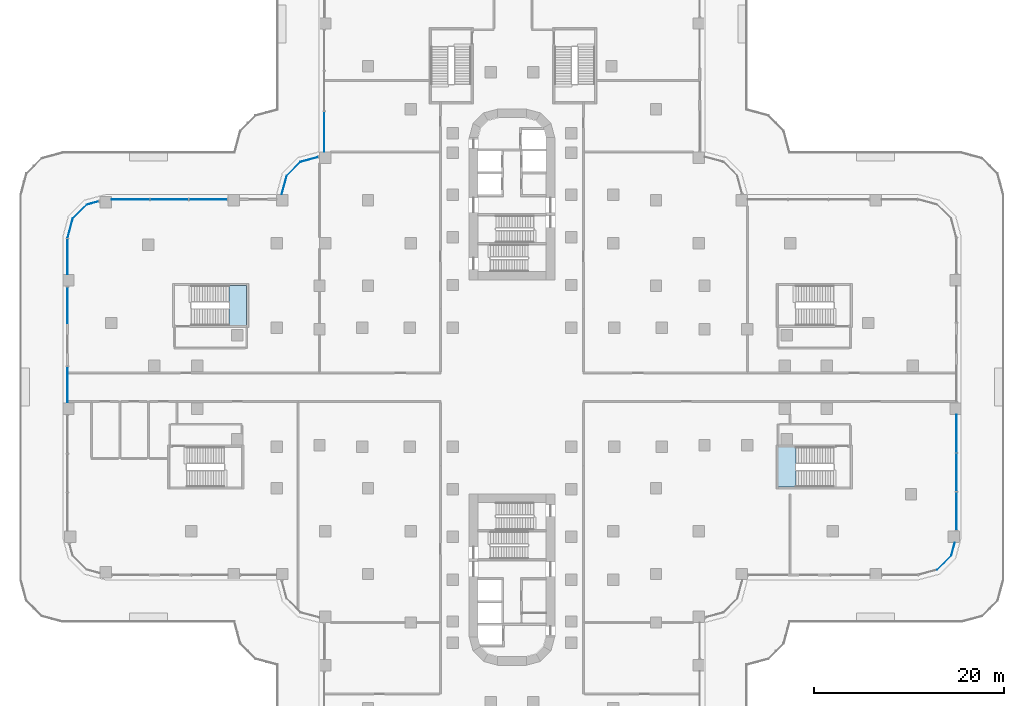
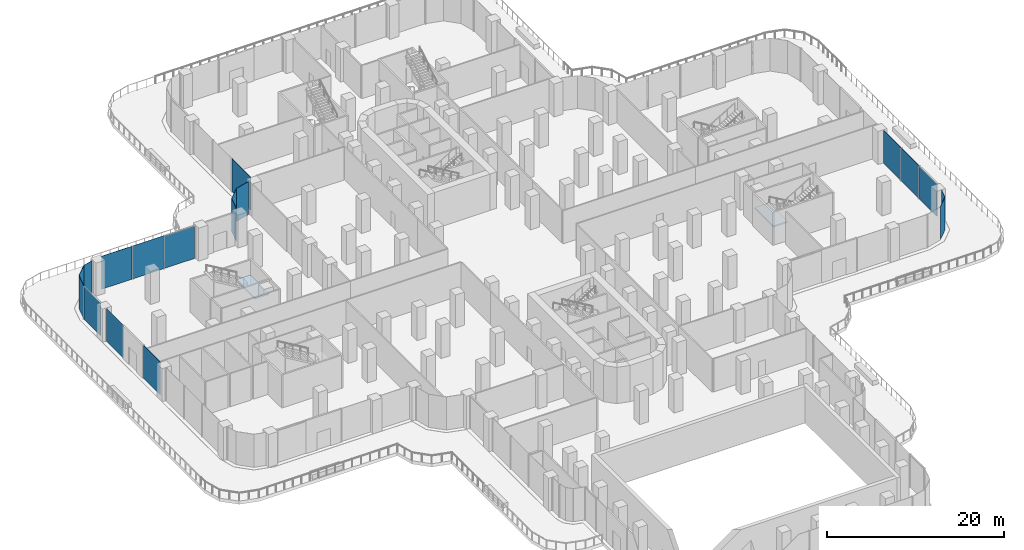
# One storey, part 14 of 29: 18 plates, 2 slabs, 14 elements without a shape of their own.
"""IFC4 building model written with IfcOpenShell, lengths in metres."""

from ifc_helpers import new_model, si_unit, direction, frame, origin, place, context, subcontext, project, spatial, polyline, outline, extrude, source, transform, mapped, material, layer, layer_set, type_object, element, aggregate, save


model = new_model("IFC4")

# Units and contexts
model_context = context("Model", 3, precision=1e-05, world=origin(), true_north=direction((0.0, 1.0)))
body_context = subcontext(model_context, "Body", "Model", "MODEL_VIEW")
ifc_project = project(units=[si_unit("LENGTHUNIT", "METRE"), si_unit("AREAUNIT", "SQUARE_METRE"), si_unit("VOLUMEUNIT", "CUBIC_METRE"), si_unit("PLANEANGLEUNIT", "RADIAN"), si_unit("MASSUNIT", "GRAM", prefix="KILO")], contexts=[model_context])

# Site, building, storey
site_placement = place(None, origin())
site = spatial("IfcSite", under=ifc_project, at=site_placement, CompositionType="ELEMENT")
building_placement = place(site_placement, origin())
building = spatial("IfcBuilding", under=site, at=building_placement, Name="Zarbagh Exchange Tower", CompositionType="ELEMENT")
storey_placement = place(building_placement, frame((0.0, 0.0, 12.0)))
storey = spatial("IfcBuildingStorey", under=building, at=storey_placement, Name="L02", CompositionType="ELEMENT", Elevation=12.0)

# Stair, slab
ifc_material_1 = material(Name="Concrete C40/50", Category="concrete")
stair_type = type_object("IfcStairType", Name="Exit stair two-flight half-turn", PredefinedType="HALF_TURN_STAIR", material=ifc_material_1)
stair_1_placement = place(storey_placement, origin())
stair_1 = element("IfcStair", 1, at=stair_1_placement, inside=storey, type_object=stair_type, Name="exit stair PS5", PredefinedType="HALF_TURN_STAIR")
ifc_layer_1 = layer(ifc_material_1, 0.199951171875)
ifc_layer_set_1 = layer_set([ifc_layer_1], Name="Stair landing 200 mm")
slab_type = type_object("IfcSlabType", Name="Stair landing 200 mm", PredefinedType="LANDING", material=ifc_layer_set_1)
slab_1_placement = place(storey_placement, frame((0.0, 0.0, 2.300048828125)))
slab_1 = element("IfcSlab", 2, at=slab_1_placement, type_object=slab_type, Name="PS5 landing 1", PredefinedType="LANDING", context=body_context, shape_type="SweptSolid", body=[
    extrude(outline(polyline([(-29.780029296875, 6.5), (-27.89990234375, 6.5), (-27.89990234375, 10.699951171875), (-29.780029296875, 10.699951171875), (-29.780029296875, 6.5)])), origin(), (0.0, 0.0, 1.0), 0.199951171875),
])
aggregate(stair_1, [slab_1])

stair_2_placement = place(storey_placement, origin())
stair_2 = element("IfcStair", 3, at=stair_2_placement, inside=storey, type_object=stair_type, Name="exit stair PS6", PredefinedType="HALF_TURN_STAIR")
slab_2_placement = place(storey_placement, frame((0.0, 0.0, 2.300048828125)))
slab_2 = element("IfcSlab", 4, at=slab_2_placement, type_object=slab_type, Name="PS6 landing 1", PredefinedType="LANDING", context=body_context, shape_type="SweptSolid", body=[
    extrude(outline(polyline([(29.8798828125, -6.300048828125), (28.0, -6.300048828125), (28.0, -10.5), (29.8798828125, -10.5), (29.8798828125, -6.300048828125)])), origin(), (0.0, 0.0, 1.0), 0.199951171875),
])
aggregate(stair_2, [slab_2])

# Curtain wall, plate
ifc_material_2 = material(Name="Anodised aluminium frame and glazing", Category="aluminium")
curtain_wall_type = type_object("IfcCurtainWallType", Name="CWC Podium garden-wall glazing", PredefinedType="NOTDEFINED", material=ifc_material_2)
curtain_wall_1_placement = place(storey_placement, origin())
curtain_wall_1 = element("IfcCurtainWall", 5, at=curtain_wall_1_placement, inside=storey, type_object=curtain_wall_type, Name="CWC108 curtain wall", PredefinedType="NOTDEFINED")
ifc_material_3 = material(Name="Low-e double glazed unit, 6+12+6 mm")
ifc_layer_2 = layer(ifc_material_3, 0.031982421875)
ifc_layer_set_2 = layer_set([ifc_layer_2], Name="PAC Glazing panel, Low-e double glazed unit, 6+12+6 mm")
plate_type = type_object("IfcPlateType", Name="PAC Glazing panel, Low-e double glazed unit, 6+12+6 mm", PredefinedType="CURTAIN_PANEL", material=ifc_layer_set_2)
shared_shape_1 = source(origin(), body_context, "Body", "SweptSolid", [
    extrude(outline(polyline([(0.0, -0.01611328125), (2.061279296875, -0.01611328125), (2.061279296875, 0.01611328125), (0.0, 0.01611328125), (0.0, -0.01611328125)])), origin(), (0.0, 0.0, 1.0), 4.550048828125),
])
placement = place(storey_placement, origin())
plate_1 = element("IfcPlate", 6, at=placement, type_object=plate_type, Name="CWC108 glazing panel 1.1", PredefinedType="CURTAIN_PANEL", context=body_context, shape_type="MappedRepresentation", body=[
    mapped(shared_shape_1, transform((44.7412109375, -19.19873046875, 0.0), x_axis=(0.707106781187, 0.707106781187, 0.0), y_axis=(-0.707106781187, 0.707106781187, 0.0), z_axis=(0.0, 0.0, 1.0))),
])
aggregate(curtain_wall_1, [plate_1])

curtain_wall_2_placement = place(storey_placement, origin())
curtain_wall_2 = element("IfcCurtainWall", 7, at=curtain_wall_2_placement, inside=storey, type_object=curtain_wall_type, Name="CWC128 curtain wall", PredefinedType="NOTDEFINED")
plate_2 = element("IfcPlate", 8, at=placement, type_object=plate_type, Name="CWC128 glazing panel 1.1", PredefinedType="CURTAIN_PANEL", context=body_context, shape_type="MappedRepresentation", body=[
    mapped(shared_shape_1, transform((-22.2412109375, 23.69873046875, 0.0), x_axis=(-0.707106781187, -0.707106781187, 0.0), y_axis=(0.707106781187, -0.707106781187, 0.0), z_axis=(0.0, 0.0, 1.0))),
])
aggregate(curtain_wall_2, [plate_2])

curtain_wall_3_placement = place(storey_placement, origin())
curtain_wall_3 = element("IfcCurtainWall", 9, at=curtain_wall_3_placement, inside=storey, type_object=curtain_wall_type, Name="CWC132 curtain wall", PredefinedType="NOTDEFINED")
plate_3 = element("IfcPlate", 10, at=placement, type_object=plate_type, Name="CWC132 glazing panel 1.1", PredefinedType="CURTAIN_PANEL", context=body_context, shape_type="MappedRepresentation", body=[
    mapped(shared_shape_1, transform((-44.7412109375, 19.19873046875, 0.0), x_axis=(-0.707106781187, -0.707106781187, 0.0), y_axis=(0.707106781187, -0.707106781187, 0.0), z_axis=(0.0, 0.0, 1.0))),
])
aggregate(curtain_wall_3, [plate_3])

curtain_wall_4_placement = place(storey_placement, origin())
curtain_wall_4 = element("IfcCurtainWall", 11, at=curtain_wall_4_placement, inside=storey, type_object=curtain_wall_type, Name="CWC109 curtain wall", PredefinedType="NOTDEFINED")
shared_shape_2 = source(origin(), body_context, "Body", "SweptSolid", [
    extrude(outline(polyline([(0.0, -0.01611328125), (1.398681640625, -0.01611328125), (1.398681640625, 0.01611328125), (0.0, 0.01611328125), (0.0, -0.01611328125)])), origin(), (0.0, 0.0, 1.0), 4.550048828125),
])
plate_4 = element("IfcPlate", 12, at=placement, type_object=plate_type, Name="CWC109 glazing panel 1.1", PredefinedType="CURTAIN_PANEL", context=body_context, shape_type="MappedRepresentation", body=[
    mapped(shared_shape_2, transform((46.19873046875, -17.7412109375, 0.0), x_axis=(0.258824779902, 0.965924289636, 0.0), y_axis=(-0.965924289636, 0.258824779902, 0.0), z_axis=(0.0, 0.0, 1.0))),
])
aggregate(curtain_wall_4, [plate_4])

curtain_wall_5_placement = place(storey_placement, origin())
curtain_wall_5 = element("IfcCurtainWall", 13, at=curtain_wall_5_placement, inside=storey, type_object=curtain_wall_type, Name="CWC110 curtain wall", PredefinedType="NOTDEFINED")
shared_shape_3 = source(origin(), body_context, "Body", "SweptSolid", [
    extrude(outline(polyline([(0.0, -0.01611328125), (3.993408203125, -0.01611328125), (3.993408203125, 0.01611328125), (0.0, 0.01611328125), (0.0, -0.01611328125)])), origin(), (0.0, 0.0, 1.0), 4.469970703125),
])
plate_5 = element("IfcPlate", 14, at=placement, type_object=plate_type, Name="CWC110 glazing panel 1.1", PredefinedType="CURTAIN_PANEL", context=body_context, shape_type="MappedRepresentation", body=[
    mapped(shared_shape_3, transform((46.75, -15.030029296875, 0.0), x_axis=(0.0, 1.0, 0.0), y_axis=(-1.0, 0.0, 0.0), z_axis=(0.0, 0.0, 1.0))),
])

curtain_wall_6_placement = place(storey_placement, origin())
curtain_wall_6 = element("IfcCurtainWall", 15, at=curtain_wall_6_placement, inside=storey, type_object=curtain_wall_type, Name="CWC130 curtain wall", PredefinedType="NOTDEFINED")
plate_6 = element("IfcPlate", 16, at=placement, type_object=plate_type, Name="CWC130 glazing panel 1.1", PredefinedType="CURTAIN_PANEL", context=body_context, shape_type="MappedRepresentation", body=[
    mapped(shared_shape_3, transform((-29.969970703125, 19.75, 0.0), x_axis=(-1.0, 0.0, 0.0), y_axis=(0.0, -1.0, 0.0), z_axis=(0.0, 0.0, 1.0))),
])

# Plate
shared_shape_4 = source(origin(), body_context, "Body", "SweptSolid", [
    extrude(outline(polyline([(0.0, -0.01611328125), (3.993408203125, -0.01611328125), (3.993408203125, 0.01611328125), (0.0, 0.01611328125), (0.0, -0.01611328125)])), origin(), (0.0, 0.0, 1.0), 4.550048828125),
])
plate_7 = element("IfcPlate", 17, at=placement, type_object=plate_type, Name="CWC110 glazing panel 1.2", PredefinedType="CURTAIN_PANEL", context=body_context, shape_type="MappedRepresentation", body=[
    mapped(shared_shape_4, transform((46.75, -10.95654296875, 0.0), x_axis=(0.0, 1.0, 0.0), y_axis=(-1.0, 0.0, 0.0), z_axis=(0.0, 0.0, 1.0))),
])

plate_8 = element("IfcPlate", 18, at=placement, type_object=plate_type, Name="CWC110 glazing panel 1.3", PredefinedType="CURTAIN_PANEL", context=body_context, shape_type="MappedRepresentation", body=[
    mapped(shared_shape_4, transform((46.75, -6.88330078125, 0.0), x_axis=(0.0, 1.0, 0.0), y_axis=(-1.0, 0.0, 0.0), z_axis=(0.0, 0.0, 1.0))),
])

aggregate(curtain_wall_5, [plate_5, plate_7, plate_8])

plate_9 = element("IfcPlate", 19, at=placement, type_object=plate_type, Name="CWC130 glazing panel 1.2", PredefinedType="CURTAIN_PANEL", context=body_context, shape_type="MappedRepresentation", body=[
    mapped(shared_shape_4, transform((-34.04345703125, 19.75, 0.0), x_axis=(-1.0, 0.0, 0.0), y_axis=(0.0, -1.0, 0.0), z_axis=(0.0, 0.0, 1.0))),
])

plate_10 = element("IfcPlate", 20, at=placement, type_object=plate_type, Name="CWC130 glazing panel 1.3", PredefinedType="CURTAIN_PANEL", context=body_context, shape_type="MappedRepresentation", body=[
    mapped(shared_shape_4, transform((-38.11669921875, 19.75, 0.0), x_axis=(-1.0, 0.0, 0.0), y_axis=(0.0, -1.0, 0.0), z_axis=(0.0, 0.0, 1.0))),
])

aggregate(curtain_wall_6, [plate_6, plate_9, plate_10])

# Curtain wall, plate
curtain_wall_7_placement = place(storey_placement, origin())
curtain_wall_7 = element("IfcCurtainWall", 21, at=curtain_wall_7_placement, inside=storey, type_object=curtain_wall_type, Name="CWC127 curtain wall", PredefinedType="NOTDEFINED")
shared_shape_5 = source(origin(), body_context, "Body", "SweptSolid", [
    extrude(outline(polyline([(0.0, -0.01611328125), (1.93994140625, -0.01611328125), (1.93994140625, 0.01611328125), (0.0, 0.01611328125), (0.0, -0.01611328125)])), origin(), (0.0, 0.0, 1.0), 4.550048828125),
])
plate_11 = element("IfcPlate", 22, at=placement, type_object=plate_type, Name="CWC127 glazing panel 1.1", PredefinedType="CURTAIN_PANEL", context=body_context, shape_type="MappedRepresentation", body=[
    mapped(shared_shape_5, transform((-20.367431640625, 24.200927734375, 0.0), x_axis=(-0.965924289636, -0.258824779902, 0.0), y_axis=(0.258824779902, -0.965924289636, 0.0), z_axis=(0.0, 0.0, 1.0))),
])
aggregate(curtain_wall_7, [plate_11])

curtain_wall_8_placement = place(storey_placement, origin())
curtain_wall_8 = element("IfcCurtainWall", 23, at=curtain_wall_8_placement, inside=storey, type_object=curtain_wall_type, Name="CWC129 curtain wall", PredefinedType="NOTDEFINED")
shared_shape_6 = source(origin(), body_context, "Body", "SweptSolid", [
    extrude(outline(polyline([(0.0, -0.01611328125), (2.02001953125, -0.01611328125), (2.02001953125, 0.01611328125), (0.0, 0.01611328125), (0.0, -0.01611328125)])), origin(), (0.0, 0.0, 1.0), 4.550048828125),
])
plate_12 = element("IfcPlate", 24, at=placement, type_object=plate_type, Name="CWC129 glazing panel 1.1", PredefinedType="CURTAIN_PANEL", context=body_context, shape_type="MappedRepresentation", body=[
    mapped(shared_shape_6, transform((-23.69873046875, 22.2412109375, 0.0), x_axis=(-0.258824779902, -0.965924289636, 0.0), y_axis=(0.965924289636, -0.258824779902, 0.0), z_axis=(0.0, 0.0, 1.0))),
])
aggregate(curtain_wall_8, [plate_12])

curtain_wall_9_placement = place(storey_placement, origin())
curtain_wall_9 = element("IfcCurtainWall", 25, at=curtain_wall_9_placement, inside=storey, type_object=curtain_wall_type, Name="CWC126 curtain wall", PredefinedType="NOTDEFINED")
shared_shape_7 = source(origin(), body_context, "Body", "SweptSolid", [
    extrude(outline(polyline([(0.0, -0.01611328125), (4.193359375, -0.01611328125), (4.193359375, 0.01611328125), (0.0, 0.01611328125), (0.0, -0.01611328125)])), origin(), (0.0, 0.0, 1.0), 4.550048828125),
])
plate_13 = element("IfcPlate", 26, at=placement, type_object=plate_type, Name="CWC126 glazing panel 2.3", PredefinedType="CURTAIN_PANEL", context=body_context, shape_type="MappedRepresentation", body=[
    mapped(shared_shape_7, transform((-19.75, 28.9833984375, 0.0), x_axis=(0.0, -1.0, 0.0), y_axis=(1.0, 0.0, 0.0), z_axis=(0.0, 0.0, 1.0))),
])
aggregate(curtain_wall_9, [plate_13])

curtain_wall_10_placement = place(storey_placement, origin())
curtain_wall_10 = element("IfcCurtainWall", 27, at=curtain_wall_10_placement, inside=storey, type_object=curtain_wall_type, Name="CWC131 curtain wall", PredefinedType="NOTDEFINED")
shared_shape_8 = source(origin(), body_context, "Body", "SweptSolid", [
    extrude(outline(polyline([(0.0, -0.01611328125), (1.31884765625, -0.01611328125), (1.31884765625, 0.01611328125), (0.0, 0.01611328125), (0.0, -0.01611328125)])), origin(), (0.0, 0.0, 1.0), 4.550048828125),
])
plate_14 = element("IfcPlate", 28, at=placement, type_object=plate_type, Name="CWC131 glazing panel 1.1", PredefinedType="CURTAIN_PANEL", context=body_context, shape_type="MappedRepresentation", body=[
    mapped(shared_shape_8, transform((-43.46728515625, 19.540283203125, 0.0), x_axis=(-0.965924289636, -0.258824779902, 0.0), y_axis=(0.258824779902, -0.965924289636, 0.0), z_axis=(0.0, 0.0, 1.0))),
])
aggregate(curtain_wall_10, [plate_14])

# Curtain wall, plates
curtain_wall_11_placement = place(storey_placement, origin())
curtain_wall_11 = element("IfcCurtainWall", 29, at=curtain_wall_11_placement, inside=storey, type_object=curtain_wall_type, Name="CWC134 curtain wall", PredefinedType="NOTDEFINED")
shared_shape_9 = source(origin(), body_context, "Body", "SweptSolid", [
    extrude(outline(polyline([(0.0, -0.01611328125), (3.780029296875, -0.01611328125), (3.780029296875, 0.01611328125), (0.0, 0.01611328125), (0.0, -0.01611328125)])), origin(), (0.0, 0.0, 1.0), 4.550048828125),
])
plate_15 = element("IfcPlate", 30, at=placement, type_object=plate_type, Name="CWC134 glazing panel 2.1", PredefinedType="CURTAIN_PANEL", context=body_context, shape_type="MappedRepresentation", body=[
    mapped(shared_shape_9, transform((-46.75, 10.530029296875, 0.0), x_axis=(0.0, -1.0, 0.0), y_axis=(1.0, 0.0, 0.0), z_axis=(0.0, 0.0, 1.0))),
])
plate_16 = element("IfcPlate", 31, at=placement, type_object=plate_type, Name="CWC134 glazing panel 3.1", PredefinedType="CURTAIN_PANEL", context=body_context, shape_type="MappedRepresentation", body=[
    mapped(shared_shape_9, transform((-46.75, 2.169921875, 0.0), x_axis=(0.0, -1.0, 0.0), y_axis=(1.0, 0.0, 0.0), z_axis=(0.0, 0.0, 1.0))),
])

# Curtain wall, plate
curtain_wall_12_placement = place(storey_placement, origin())
curtain_wall_12 = element("IfcCurtainWall", 32, at=curtain_wall_12_placement, inside=storey, type_object=curtain_wall_type, Name="CWC133 curtain wall", PredefinedType="NOTDEFINED")
shared_shape_10 = source(origin(), body_context, "Body", "SweptSolid", [
    extrude(outline(polyline([(0.0, -0.01611328125), (2.129638671875, -0.01611328125), (2.129638671875, 0.01611328125), (0.0, 0.01611328125), (0.0, -0.01611328125)])), origin(), (0.0, 0.0, 1.0), 4.550048828125),
])
plate_17 = element("IfcPlate", 33, at=placement, type_object=plate_type, Name="CWC133 glazing panel 1.1", PredefinedType="CURTAIN_PANEL", context=body_context, shape_type="MappedRepresentation", body=[
    mapped(shared_shape_10, transform((-46.19873046875, 17.7412109375, 0.0), x_axis=(-0.258824779902, -0.965924289636, 0.0), y_axis=(0.965924289636, -0.258824779902, 0.0), z_axis=(0.0, 0.0, 1.0))),
])
aggregate(curtain_wall_12, [plate_17])

# Plate
shared_shape_11 = source(origin(), body_context, "Body", "SweptSolid", [
    extrude(outline(polyline([(0.0, -0.01611328125), (3.714111328125, -0.01611328125), (3.714111328125, 0.01611328125), (0.0, 0.01611328125), (0.0, -0.01611328125)])), origin(), (0.0, 0.0, 1.0), 4.469970703125),
])
plate_18 = element("IfcPlate", 34, at=placement, type_object=plate_type, Name="CWC134 glazing panel 1.1", PredefinedType="CURTAIN_PANEL", context=body_context, shape_type="MappedRepresentation", body=[
    mapped(shared_shape_11, transform((-46.75, 15.604248046875, 0.0), x_axis=(0.0, -1.0, 0.0), y_axis=(1.0, 0.0, 0.0), z_axis=(0.0, 0.0, 1.0))),
])

aggregate(curtain_wall_11, [plate_18, plate_15, plate_16])

save(model, "model.ifc")
